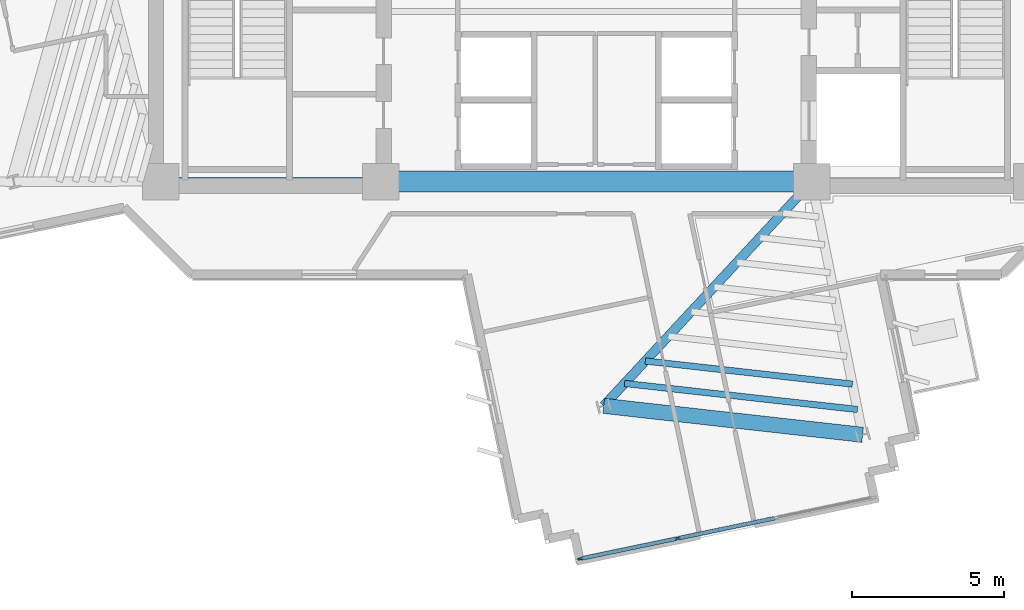
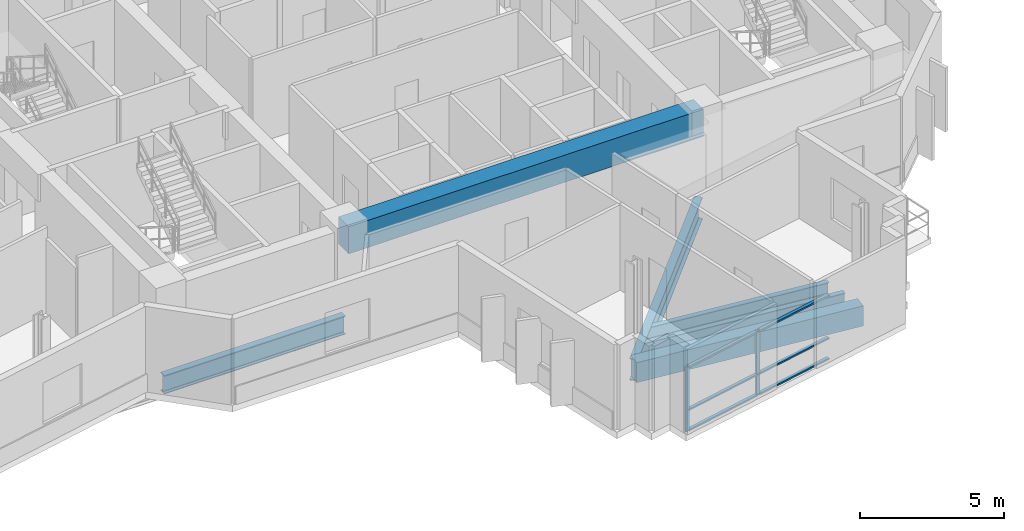
# One storey, part 2 of 14: 8 members, 6 beams, 1 element without a shape of its own.
"""IFC4 building model written with IfcOpenShell, lengths in metres."""

import ifcopenshell
import ifcopenshell.guid

model = None  # the IFC model being written
_history = None  # IfcOwnerHistory: only IFC2X3 demands one
_inside = {}  # id of a spatial element -> (the spatial element, [elements in it])
_under = {}  # id of a project, library or spatial element -> (it, [spatial elements below it])
_declared = {}  # id of a project -> (the project, [libraries it declares])
_typed = {}  # id of a type object -> (the type object, [elements of that type])
_made_of = {}  # id of a material, layer set ... -> (it, [elements and type objects made of it])


def new_model(schema):
    """Start an empty IFC model of exactly this schema.

    Asked for "IFC4X3", IfcOpenShell would pick the latest addendum, in which some entities
    have other attributes; the version numbers below select the first issue.
    IFC2X3 requires an IfcOwnerHistory on every rooted entity: one is made here for all.
    """
    global model, _history
    if schema == "IFC4X3":
        model = ifcopenshell.file(schema_version=(4, 3, 0, 0))
    else:
        model = ifcopenshell.file(schema=schema)
    _inside.clear()
    _under.clear()
    _declared.clear()
    _typed.clear()
    _made_of.clear()
    _history = None
    if model.schema == "IFC2X3":
        org = make("IfcOrganization", Name="unknown")
        user = make(
            "IfcPersonAndOrganization",
            ThePerson=make("IfcPerson", FamilyName="unknown"),
            TheOrganization=org,
        )
        app = make(
            "IfcApplication",
            ApplicationDeveloper=org,
            Version="unknown",
            ApplicationFullName="unknown",
            ApplicationIdentifier="unknown",
        )
        _history = make(
            "IfcOwnerHistory",
            OwningUser=user,
            OwningApplication=app,
            ChangeAction="ADDED",
            CreationDate=0,
        )
    return model


def make(cls, **values):
    """One entity of the class cls with the attributes given. An attribute that is None is left unset."""
    return model.create_entity(
        cls, **{name: value for name, value in values.items() if value is not None}
    )


def rooted(cls, **values):
    """An entity with a GlobalId (a new one), such as an element, a storey or a relation."""
    return make(cls, GlobalId=ifcopenshell.guid.new(), OwnerHistory=_history, **values)


def si_unit(unit_type, name, prefix=None):
    """IfcSIUnit, for example si_unit("LENGTHUNIT", "METRE", prefix="MILLI")."""
    return make("IfcSIUnit", UnitType=unit_type, Prefix=prefix, Name=name)


def assignment(units):
    """IfcUnitAssignment: the units of a project."""
    return None if units is None else make("IfcUnitAssignment", Units=units)


def point(xyz):
    """IfcCartesianPoint."""
    return None if xyz is None else make("IfcCartesianPoint", Coordinates=xyz)


def direction(xyz):
    """IfcDirection."""
    return None if xyz is None else make("IfcDirection", DirectionRatios=xyz)


def frame(location, z_axis=None, x_axis=None):
    """IfcAxis2Placement3D, a coordinate frame: its origin and axes. An axis left out is left unset."""
    return make(
        "IfcAxis2Placement3D",
        Location=point(location),
        Axis=direction(z_axis),
        RefDirection=direction(x_axis),
    )


def frame_2d(location, x_axis=None):
    """IfcAxis2Placement2D, a coordinate frame in the plane: its origin and x axis."""
    return make(
        "IfcAxis2Placement2D", Location=point(location), RefDirection=direction(x_axis)
    )


def origin():
    """The frame at (0, 0, 0) with its axes left unset."""
    return frame((0.0, 0.0, 0.0))


def origin_2d():
    """The frame at (0, 0) in the plane with its x axis left unset."""
    return frame_2d((0.0, 0.0))


def place(relative_to, where):
    """IfcLocalPlacement: puts the frame where relative to a parent placement (None: the world)."""
    return make(
        "IfcLocalPlacement", PlacementRelTo=relative_to, RelativePlacement=where
    )


def context(
    kind, dimensions, precision=None, world=None, true_north=None, identifier=None
):
    """IfcGeometricRepresentationContext, for example the 3D "Model" context."""
    return make(
        "IfcGeometricRepresentationContext",
        ContextIdentifier=identifier,
        ContextType=kind,
        CoordinateSpaceDimension=dimensions,
        Precision=precision,
        WorldCoordinateSystem=world,
        TrueNorth=true_north,
    )


def subcontext(parent, identifier, kind, view, scale=None):
    """IfcGeometricRepresentationSubContext, for example "Body" below "Model"."""
    return make(
        "IfcGeometricRepresentationSubContext",
        ContextIdentifier=identifier,
        ContextType=kind,
        ParentContext=parent,
        TargetScale=scale,
        TargetView=view,
    )


def project(units=None, contexts=None):
    """IfcProject with its units and contexts."""
    return rooted(
        "IfcProject",
        Name="project",
        RepresentationContexts=contexts,
        UnitsInContext=assignment(units),
    )


def spatial(cls, under=None, at=None, **own):
    """A site, building, storey or space (cls), placed at a placement, below another one or the project."""
    s = rooted(cls, ObjectPlacement=at, **own)
    if under is not None:
        _under.setdefault(under.id(), (under, []))[1].append(s)
    return s


def profile(cls, at=None, kind="AREA", **sizes):
    """A parametric profile (cls). Its sizes go by their IFC names, for example OverallWidth=200.0."""
    return make(cls, ProfileType=kind, Position=at, **sizes)


def rectangle(**sizes):
    """IfcRectangleProfileDef."""
    return profile("IfcRectangleProfileDef", **sizes)


def i_section(**sizes):
    """IfcIShapeProfileDef."""
    return profile("IfcIShapeProfileDef", **sizes)


def extrude(swept, where, along, depth):
    """IfcExtrudedAreaSolid: the profile swept, set in the frame where, extruded along a direction by depth."""
    return make(
        "IfcExtrudedAreaSolid",
        SweptArea=swept,
        Position=where,
        ExtrudedDirection=direction(along),
        Depth=depth,
    )


def shape(context_of_items, identifier, shape_type, items):
    """IfcShapeRepresentation: the items that make up one representation, for example the "Body"."""
    return make(
        "IfcShapeRepresentation",
        ContextOfItems=context_of_items,
        RepresentationIdentifier=identifier,
        RepresentationType=shape_type,
        Items=items,
    )


def source(mapping_origin, context_of_items, identifier, shape_type, items):
    """IfcRepresentationMap: a shape defined once, which mapped items show again and again."""
    return make(
        "IfcRepresentationMap",
        MappingOrigin=mapping_origin,
        MappedRepresentation=shape(context_of_items, identifier, shape_type, items),
    )


def transform(
    local_origin,
    x_axis=None,
    y_axis=None,
    z_axis=None,
    scale=None,
    scale2=None,
    scale3=None,
    uniform=True,
):
    """IfcCartesianTransformationOperator3D, or its non-uniform kind. x_axis, y_axis, z_axis: its Axis1, 2, 3."""
    if uniform:
        return make(
            "IfcCartesianTransformationOperator3D",
            Axis1=direction(x_axis),
            Axis2=direction(y_axis),
            LocalOrigin=point(local_origin),
            Scale=scale,
            Axis3=direction(z_axis),
        )
    return make(
        "IfcCartesianTransformationOperator3DnonUniform",
        Axis1=direction(x_axis),
        Axis2=direction(y_axis),
        LocalOrigin=point(local_origin),
        Scale=scale,
        Axis3=direction(z_axis),
        Scale2=scale2,
        Scale3=scale3,
    )


def mapped(mapping_source, mapping_target):
    """IfcMappedItem: shows the shape of a source again, moved by a transform."""
    return make(
        "IfcMappedItem", MappingSource=mapping_source, MappingTarget=mapping_target
    )


def material(Name=None, Category=None):
    """IfcMaterial."""
    return make("IfcMaterial", Name=Name, Category=Category)


def layer(
    of_material, thickness, ventilated=None, Name=None, Category=None, Priority=None
):
    """IfcMaterialLayer: one layer of a wall or slab, of a material (None: an air gap)."""
    return make(
        "IfcMaterialLayer",
        Material=of_material,
        LayerThickness=thickness,
        IsVentilated=ventilated,
        Name=Name,
        Category=Category,
        Priority=Priority,
    )


def layer_set(layers, Name=None):
    """IfcMaterialLayerSet."""
    return make("IfcMaterialLayerSet", MaterialLayers=layers, LayerSetName=Name)


def material_profile(
    of_material, cross_section, Name=None, Category=None, Priority=None
):
    """IfcMaterialProfile: a cross section and its material."""
    return make(
        "IfcMaterialProfile",
        Name=Name,
        Material=of_material,
        Profile=cross_section,
        Priority=Priority,
        Category=Category,
    )


def profile_set(profiles, Name=None, composite=None):
    """IfcMaterialProfileSet."""
    return make(
        "IfcMaterialProfileSet",
        Name=Name,
        MaterialProfiles=profiles,
        CompositeProfile=composite,
    )


def made_of(thing, what):
    """Note that an element or type object is made of a material, layer set ...; save() writes the relation."""
    if what is not None:
        _made_of.setdefault(what.id(), (what, []))[1].append(thing)
    return thing


def type_object(cls, material=None, **own):
    """A type object (cls), such as IfcWallType, which elements share."""
    return made_of(rooted(cls, **own), material)


def element(
    cls,
    number,
    at=None,
    inside=None,
    cuts=None,
    type_object=None,
    material=None,
    context=None,
    identifier="Body",
    shape_type=None,
    held_by="IfcProductDefinitionShape",
    body=None,
    shapes=None,
    **own,
):
    """One element of the class cls, such as IfcWall. Its Tag is "e" and its number.

    at: its placement. inside: the storey or other place that contains it. cuts: it is an
    opening in that element (IfcRelVoidsElement). A single representation is given by context,
    identifier, shape_type and body (its items); several are given by shapes. held_by: the class
    of the entity that holds the representations. save() writes the other relations.
    """
    e = rooted(cls, Tag="e%d" % number, ObjectPlacement=at, **own)
    if body is not None:
        shapes = [shape(context, identifier, shape_type, body)]
    if shapes is not None:
        e.Representation = make(held_by, Representations=shapes)
    if inside is not None:
        _inside.setdefault(inside.id(), (inside, []))[1].append(e)
    if cuts is not None:
        rooted(
            "IfcRelVoidsElement", RelatingBuildingElement=cuts, RelatedOpeningElement=e
        )
    if type_object is not None:
        _typed.setdefault(type_object.id(), (type_object, []))[1].append(e)
    return made_of(e, material)


def aggregate(whole, parts):
    """IfcRelAggregates: a whole, such as a stair, and the parts it consists of."""
    return rooted("IfcRelAggregates", RelatingObject=whole, RelatedObjects=parts)


def save(model, path):
    """Write the relations noted so far, then the file.

    IfcRelAggregates (storeys below a building ...), IfcRelContainedInSpatialStructure (elements
    in a storey), IfcRelDefinesByType, IfcRelAssociatesMaterial and IfcRelDeclares: one each for
    every whole, place, type object, material and project.
    """
    for whole, parts in _under.values():
        aggregate(whole, parts)
    for where, things in _inside.values():
        rooted(
            "IfcRelContainedInSpatialStructure",
            RelatedElements=things,
            RelatingStructure=where,
        )
    for kind, things in _typed.values():
        rooted("IfcRelDefinesByType", RelatedObjects=things, RelatingType=kind)
    for what, things in _made_of.values():
        rooted("IfcRelAssociatesMaterial", RelatedObjects=things, RelatingMaterial=what)
    for by, libraries in _declared.values():
        rooted("IfcRelDeclares", RelatingContext=by, RelatedDefinitions=libraries)
    model.write(path)


model = new_model("IFC4")

# Units and contexts
model_context = context("Model", 3, precision=1e-05, world=origin(), true_north=direction((0.0, 1.0)))
body_context = subcontext(model_context, "Body", "Model", "MODEL_VIEW")
ifc_project = project(units=[si_unit("LENGTHUNIT", "METRE"), si_unit("AREAUNIT", "SQUARE_METRE"), si_unit("VOLUMEUNIT", "CUBIC_METRE"), si_unit("PLANEANGLEUNIT", "RADIAN"), si_unit("MASSUNIT", "GRAM", prefix="KILO")], contexts=[model_context])

# Site, building, storey
site_placement = place(None, origin())
site = spatial("IfcSite", under=ifc_project, at=site_placement, CompositionType="ELEMENT")
building_placement = place(site_placement, origin())
building = spatial("IfcBuilding", under=site, at=building_placement, Name="Zahravan Cultural Tower", CompositionType="ELEMENT")
storey_placement = place(building_placement, frame((0.0, 0.0, 166.800048828125)))
storey = spatial("IfcBuildingStorey", under=building, at=storey_placement, Name="L38", CompositionType="ELEMENT", Elevation=166.800048828125)

# Beams
ifc_material_1 = material(Name="Concrete C50/60", Category="concrete")
ifc_material_profile_1 = material_profile(ifc_material_1, rectangle(XDim=0.699951171875, YDim=1.14990234375, at=origin_2d()), Name="RC700X1150")
ifc_profile_set_1 = profile_set([ifc_material_profile_1], Name="Concrete C50/60")
beam_type_1 = type_object("IfcBeamType", Name="BM-LN-RC700X1150", PredefinedType="LINTEL", material=ifc_profile_set_1)
shared_shape_1 = source(origin(), body_context, "Body", "SweptSolid", [
    extrude(rectangle(XDim=0.699951171875, YDim=1.14990234375, at=origin_2d()), origin(), (0.0, 0.0, 1.0), 14.2001953125),
])
beam_1_placement = place(storey_placement, frame((28.89990234375, 17.800048828125, 3.044921875), z_axis=(1.0, 0.0, 0.0), x_axis=(0.0, 1.0, 0.0)))
element("IfcBeam", 1, at=beam_1_placement, inside=storey, type_object=beam_type_1, Name="L38 Beam LN-L38-S", PredefinedType="LINTEL", context=body_context, shape_type="MappedRepresentation", body=[
    mapped(shared_shape_1, transform((0.0, 0.0, 0.0), x_axis=(1.0, 0.0, 0.0), y_axis=(0.0, 1.0, 0.0), z_axis=(0.0, 0.0, 1.0), scale=1.0)),
])
ifc_material_2 = material(Name="Steel ASTM A992 Grade 50", Category="steel")
ifc_material_profile_2 = material_profile(ifc_material_2, i_section(OverallWidth=0.26611328125, OverallDepth=0.780029296875, WebThickness=0.0166015625, FlangeThickness=0.030029296875, FilletRadius=0.01904296875, at=origin_2d()), Name="W30X148")
ifc_profile_set_2 = profile_set([ifc_material_profile_2], Name="Steel ASTM A992 Grade 50")
beam_type_2 = type_object("IfcBeamType", Name="BM-G-W30X148", PredefinedType="BEAM", material=ifc_profile_set_2)
shared_shape_2 = source(origin(), body_context, "Body", "SweptSolid", [
    extrude(i_section(OverallWidth=0.26611328125, OverallDepth=0.780029296875, WebThickness=0.0166015625, FlangeThickness=0.030029296875, FilletRadius=0.01904296875, at=origin_2d()), origin(), (0.0, 0.0, 1.0), 7.25),
])
beam_2_placement = place(storey_placement, frame((21.64990234375, 17.800048828125, -0.670166015625), z_axis=(1.0, 0.0, 0.0), x_axis=(0.0, 1.0, 0.0)))
element("IfcBeam", 2, at=beam_2_placement, inside=storey, type_object=beam_type_2, Name="L38 Beam BG-L38-01", PredefinedType="BEAM", context=body_context, shape_type="MappedRepresentation", body=[
    mapped(shared_shape_2, transform((0.0, 0.0, 0.0), x_axis=(1.0, 0.0, 0.0), y_axis=(0.0, 1.0, 0.0), z_axis=(0.0, 0.0, 1.0), scale=1.0)),
])
ifc_material_profile_3 = material_profile(ifc_material_2, i_section(OverallWidth=0.304931640625, OverallDepth=0.9189453125, WebThickness=0.017333984375, FlangeThickness=0.02783203125, FilletRadius=0.02392578125, at=origin_2d()), Name="W36X170")
ifc_profile_set_3 = profile_set([ifc_material_profile_3], Name="Steel ASTM A992 Grade 50")
beam_type_3 = type_object("IfcBeamType", Name="BM-G-W36X170", PredefinedType="BEAM", material=ifc_profile_set_3)
shared_shape_3 = source(origin(), body_context, "Body", "SweptSolid", [
    extrude(i_section(OverallWidth=0.304931640625, OverallDepth=0.9189453125, WebThickness=0.017333984375, FlangeThickness=0.02783203125, FilletRadius=0.02392578125, at=origin_2d()), origin(), (0.0, 0.0, 1.0), 10.077880859375),
])
beam_3_placement = place(storey_placement, frame((43.10009765625, 17.800048828125, -0.739501953125), z_axis=(-0.680170435587, -0.733054007938, 0.0), x_axis=(0.733054007938, -0.680170435587, 0.0)))
element("IfcBeam", 3, at=beam_3_placement, inside=storey, type_object=beam_type_3, Name="L38 Beam BG-L38-09", PredefinedType="BEAM", context=body_context, shape_type="MappedRepresentation", body=[
    mapped(shared_shape_3, transform((0.0, 0.0, 0.0), x_axis=(1.0, 0.0, 0.0), y_axis=(0.0, 1.0, 0.0), z_axis=(0.0, 0.0, 1.0), scale=1.0)),
])
ifc_material_profile_4 = material_profile(ifc_material_1, rectangle(XDim=0.5, YDim=0.85009765625, at=origin_2d()), Name="RC500X850")
ifc_profile_set_4 = profile_set([ifc_material_profile_4], Name="Concrete C50/60")
beam_type_4 = type_object("IfcBeamType", Name="BM-SP-RC500X850", PredefinedType="SPANDREL", material=ifc_profile_set_4)
shared_shape_4 = source(origin(), body_context, "Body", "SweptSolid", [
    extrude(rectangle(XDim=0.5, YDim=0.85009765625, at=origin_2d()), origin(), (0.0, 0.0, 1.0), 8.579833984375),
])
beam_4_placement = place(storey_placement, frame((36.245361328125, 10.412353515625, -0.705078125), z_axis=(0.9938040105, -0.11114669907, 0.0), x_axis=(0.11114669907, 0.9938040105, 0.0)))
element("IfcBeam", 4, at=beam_4_placement, inside=storey, type_object=beam_type_4, Name="L38 Beam SP-L38-20", PredefinedType="SPANDREL", context=body_context, shape_type="MappedRepresentation", body=[
    mapped(shared_shape_4, transform((0.0, 0.0, 0.0), x_axis=(1.0, 0.0, 0.0), y_axis=(0.0, 1.0, 0.0), z_axis=(0.0, 0.0, 1.0), scale=1.0)),
])
ifc_material_profile_5 = material_profile(ifc_material_2, i_section(OverallWidth=0.2099609375, OverallDepth=0.532958984375, WebThickness=0.01025390625, FlangeThickness=0.015625, FilletRadius=0.013916015625, at=origin_2d()), Name="W21X62")
ifc_profile_set_5 = profile_set([ifc_material_profile_5], Name="Steel ASTM A992 Grade 50")
beam_type_5 = type_object("IfcBeamType", Name="BM-J-W21X62", PredefinedType="JOIST", material=ifc_profile_set_5)
shared_shape_5 = source(origin(), body_context, "Body", "SweptSolid", [
    extrude(i_section(OverallWidth=0.2099609375, OverallDepth=0.532958984375, WebThickness=0.01025390625, FlangeThickness=0.015625, FilletRadius=0.013916015625, at=origin_2d()), origin(), (0.0, 0.0, 1.0), 6.86376953125),
])
beam_5_placement = place(storey_placement, frame((37.6162109375, 11.889892578125, -0.546630859375), z_axis=(0.993803224695, -0.111153725024, 0.0), x_axis=(0.111153725024, 0.993803224695, 0.0)))
element("IfcBeam", 5, at=beam_5_placement, inside=storey, type_object=beam_type_5, Name="L38 Beam BJ-L38-40", PredefinedType="JOIST", context=body_context, shape_type="MappedRepresentation", body=[
    mapped(shared_shape_5, transform((0.0, 0.0, 0.0), x_axis=(1.0, 0.0, 0.0), y_axis=(0.0, 1.0, 0.0), z_axis=(0.0, 0.0, 1.0), scale=1.0)),
])
shared_shape_6 = source(origin(), body_context, "Body", "SweptSolid", [
    extrude(i_section(OverallWidth=0.2099609375, OverallDepth=0.532958984375, WebThickness=0.01025390625, FlangeThickness=0.015625, FilletRadius=0.013916015625, at=origin_2d()), origin(), (0.0, 0.0, 1.0), 7.7216796875),
])
beam_6_placement = place(storey_placement, frame((36.930908203125, 11.151123046875, -0.546630859375), z_axis=(0.993805212115, -0.11113595446, 0.0), x_axis=(0.11113595446, 0.993805212115, 0.0)))
element("IfcBeam", 6, at=beam_6_placement, inside=storey, type_object=beam_type_5, Name="L38 Beam BJ-L38-41", PredefinedType="JOIST", context=body_context, shape_type="MappedRepresentation", body=[
    mapped(shared_shape_6, transform((0.0, 0.0, 0.0), x_axis=(1.0, 0.0, 0.0), y_axis=(0.0, 1.0, 0.0), z_axis=(0.0, 0.0, 1.0), scale=1.0)),
])

# Curtain wall, members
ifc_material_3 = material(Name="Anodised bronze-aluminium mullion", Category="aluminium")
ifc_layer = layer(ifc_material_3, 0.1650390625)
ifc_layer_set = layer_set([ifc_layer], Name="Anodised bronze-aluminium mullion")
curtain_wall_type = type_object("IfcCurtainWallType", Name="CW-SYS-4", PredefinedType="USERDEFINED", material=ifc_layer_set)
curtain_wall_placement = place(storey_placement, origin())
curtain_wall = element("IfcCurtainWall", 7, at=curtain_wall_placement, inside=storey, type_object=curtain_wall_type, Name="L38 Recessed Curtain Wall CW-4.1", ObjectType="RECESSED GLAZING", PredefinedType="USERDEFINED")
ifc_material_profile_6 = material_profile(ifc_material_3, rectangle(XDim=0.06494140625, YDim=0.1650390625, at=origin_2d()), Name="AL-M65X165")
ifc_profile_set_6 = profile_set([ifc_material_profile_6], Name="Anodised bronze-aluminium mullion")
member_type_1 = type_object("IfcMemberType", Name="CWM-CW-4", PredefinedType="MULLION", material=ifc_profile_set_6)
shared_shape_7 = source(origin(), body_context, "Body", "SweptSolid", [
    extrude(rectangle(XDim=0.06494140625, YDim=0.1650390625, at=origin_2d()), origin(), (0.0, 0.0, 1.0), 2.739990234375),
])
member_1_placement = place(storey_placement, frame((38.68115234375, 6.0458984375, 0.0), z_axis=(0.0, 0.0, 1.0), x_axis=(0.204162369415, -0.978937039301, 0.0)))
member_1 = element("IfcMember", 8, at=member_1_placement, type_object=member_type_1, Name="CW-4 mullion 3", PredefinedType="MULLION", context=body_context, shape_type="MappedRepresentation", body=[
    mapped(shared_shape_7, transform((0.0, 0.0, 0.0), x_axis=(1.0, 0.0, 0.0), y_axis=(0.0, 1.0, 0.0), z_axis=(0.0, 0.0, 1.0), scale=1.0)),
])
member_2_placement = place(storey_placement, frame((35.475830078125, 5.37744140625, 0.0), z_axis=(0.0, 0.0, 1.0), x_axis=(0.204162369415, -0.978937039301, 0.0)))
member_2 = element("IfcMember", 9, at=member_2_placement, type_object=member_type_1, Name="CW-4 mullion 4", PredefinedType="MULLION", context=body_context, shape_type="MappedRepresentation", body=[
    mapped(shared_shape_7, transform((0.0, 0.0, 0.0), x_axis=(1.0, 0.0, 0.0), y_axis=(0.0, 1.0, 0.0), z_axis=(0.0, 0.0, 1.0), scale=1.0)),
])
ifc_material_profile_7 = material_profile(ifc_material_3, rectangle(XDim=0.1298828125, YDim=0.06494140625, at=origin_2d()), Name="AL-T65X130")
ifc_profile_set_7 = profile_set([ifc_material_profile_7], Name="Anodised bronze-aluminium mullion")
member_type_2 = type_object("IfcMemberType", Name="CWT-CW-4", PredefinedType="USERDEFINED", material=ifc_profile_set_7)
shared_shape_8 = source(origin(), body_context, "Body", "SweptSolid", [
    extrude(rectangle(XDim=0.1298828125, YDim=0.06494140625, at=origin_2d()), origin(), (0.0, 0.0, 1.0), 3.209228515625),
])
member_3_placement = place(storey_placement, frame((38.649169921875, 6.039306640625, 0.032470703125), z_axis=(-0.978947495526, -0.204112226492, 0.0), x_axis=(0.204112226492, -0.978947495526, 0.0)))
member_3 = element("IfcMember", 10, at=member_3_placement, type_object=member_type_2, Name="CW-4 transom 3.1", ObjectType="TRANSOM", PredefinedType="USERDEFINED", context=body_context, shape_type="MappedRepresentation", body=[
    mapped(shared_shape_8, transform((0.0, 0.0, 0.0), x_axis=(1.0, 0.0, 0.0), y_axis=(0.0, 1.0, 0.0), z_axis=(0.0, 0.0, 1.0), scale=1.0)),
])
member_4_placement = place(storey_placement, frame((38.649169921875, 6.039306640625, 0.89990234375), z_axis=(-0.978947495526, -0.204112226492, 0.0), x_axis=(0.204112226492, -0.978947495526, 0.0)))
member_4 = element("IfcMember", 11, at=member_4_placement, type_object=member_type_2, Name="CW-4 transom 3.2", ObjectType="TRANSOM", PredefinedType="USERDEFINED", context=body_context, shape_type="MappedRepresentation", body=[
    mapped(shared_shape_8, transform((0.0, 0.0, 0.0), x_axis=(1.0, 0.0, 0.0), y_axis=(0.0, 1.0, 0.0), z_axis=(0.0, 0.0, 1.0), scale=1.0)),
])
member_5_placement = place(storey_placement, frame((38.649169921875, 6.039306640625, 2.70751953125), z_axis=(-0.978947495526, -0.204112226492, 0.0), x_axis=(0.204112226492, -0.978947495526, 0.0)))
member_5 = element("IfcMember", 12, at=member_5_placement, type_object=member_type_2, Name="CW-4 transom 3.3", ObjectType="TRANSOM", PredefinedType="USERDEFINED", context=body_context, shape_type="MappedRepresentation", body=[
    mapped(shared_shape_8, transform((0.0, 0.0, 0.0), x_axis=(1.0, 0.0, 0.0), y_axis=(0.0, 1.0, 0.0), z_axis=(0.0, 0.0, 1.0), scale=1.0)),
])
shared_shape_9 = source(origin(), body_context, "Body", "SweptSolid", [
    extrude(rectangle(XDim=0.1298828125, YDim=0.06494140625, at=origin_2d()), origin(), (0.0, 0.0, 1.0), 3.24169921875),
])
member_6_placement = place(storey_placement, frame((41.88623046875, 6.71435546875, 0.032470703125), z_axis=(-0.978949079002, -0.204104631797, 0.0), x_axis=(0.204104631797, -0.978949079002, 0.0)))
member_6 = element("IfcMember", 13, at=member_6_placement, type_object=member_type_2, Name="CW-4 transom 2.1", ObjectType="TRANSOM", PredefinedType="USERDEFINED", context=body_context, shape_type="MappedRepresentation", body=[
    mapped(shared_shape_9, transform((0.0, 0.0, 0.0), x_axis=(1.0, 0.0, 0.0), y_axis=(0.0, 1.0, 0.0), z_axis=(0.0, 0.0, 1.0), scale=1.0)),
])
member_7_placement = place(storey_placement, frame((41.88623046875, 6.71435546875, 0.89990234375), z_axis=(-0.978949079002, -0.204104631797, 0.0), x_axis=(0.204104631797, -0.978949079002, 0.0)))
member_7 = element("IfcMember", 14, at=member_7_placement, type_object=member_type_2, Name="CW-4 transom 2.2", ObjectType="TRANSOM", PredefinedType="USERDEFINED", context=body_context, shape_type="MappedRepresentation", body=[
    mapped(shared_shape_9, transform((0.0, 0.0, 0.0), x_axis=(1.0, 0.0, 0.0), y_axis=(0.0, 1.0, 0.0), z_axis=(0.0, 0.0, 1.0), scale=1.0)),
])
member_8_placement = place(storey_placement, frame((41.88623046875, 6.71435546875, 2.70751953125), z_axis=(-0.978949079002, -0.204104631797, 0.0), x_axis=(0.204104631797, -0.978949079002, 0.0)))
member_8 = element("IfcMember", 15, at=member_8_placement, type_object=member_type_2, Name="CW-4 transom 2.3", ObjectType="TRANSOM", PredefinedType="USERDEFINED", context=body_context, shape_type="MappedRepresentation", body=[
    mapped(shared_shape_9, transform((0.0, 0.0, 0.0), x_axis=(1.0, 0.0, 0.0), y_axis=(0.0, 1.0, 0.0), z_axis=(0.0, 0.0, 1.0), scale=1.0)),
])
aggregate(curtain_wall, [member_1, member_2, member_6, member_7, member_8, member_3, member_4, member_5])

save(model, "model.ifc")
